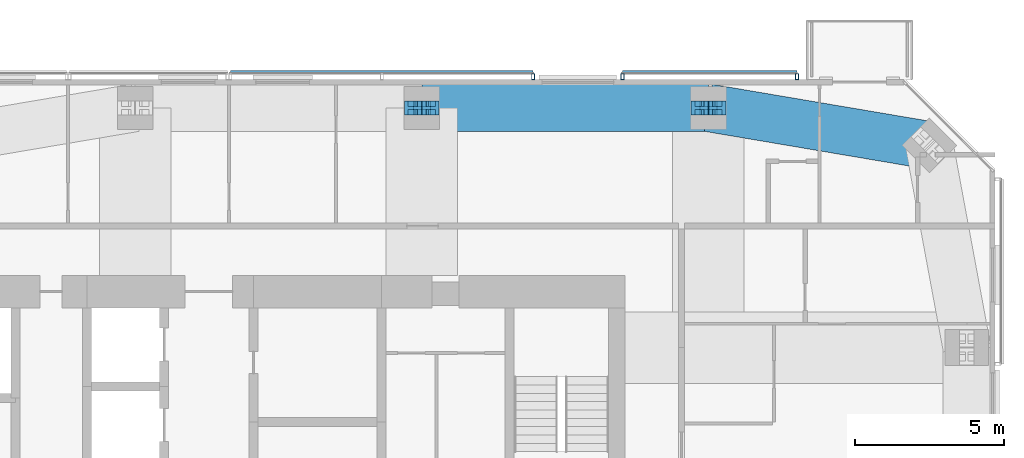
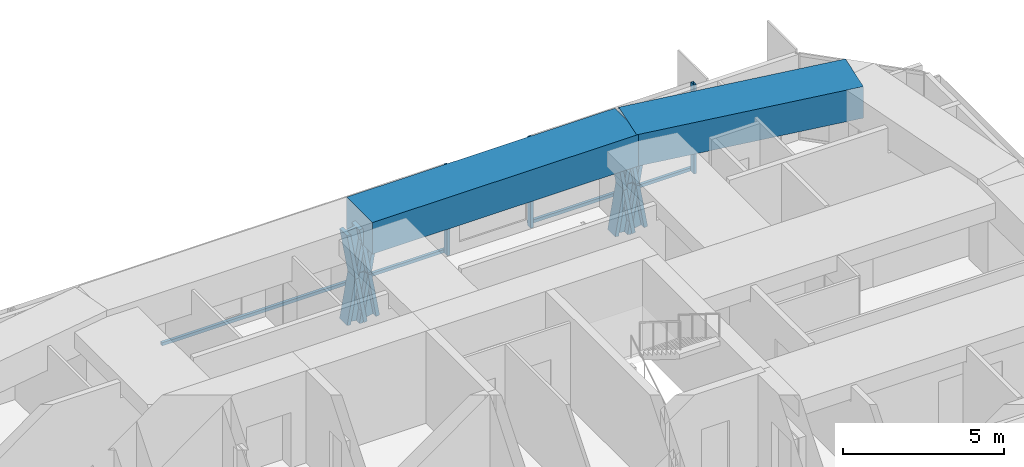
# One storey, part 11 of 20: 13 members, 2 beams, 2 elements without a shape of their own.
"""IFC4 building model written with IfcOpenShell, lengths in metres."""

from ifc_helpers import new_model, si_unit, direction, frame, origin, origin_2d, place, context, subcontext, project, spatial, rectangle, hollow_rectangle, i_section, extrude, material, material_profile, profile_set, type_object, element, aggregate, save


model = new_model("IFC4")

# Units and contexts
model_context = context("Model", 3, precision=1e-05, world=origin(), true_north=direction((0.0, 1.0)))
body_context = subcontext(model_context, "Body", "Model", "MODEL_VIEW")
ifc_project = project(units=[si_unit("LENGTHUNIT", "METRE"), si_unit("AREAUNIT", "SQUARE_METRE"), si_unit("VOLUMEUNIT", "CUBIC_METRE"), si_unit("PLANEANGLEUNIT", "RADIAN"), si_unit("MASSUNIT", "GRAM", prefix="KILO")], contexts=[model_context])

# Site, building, storey
site_placement = place(None, origin())
site = spatial("IfcSite", under=ifc_project, at=site_placement, CompositionType="ELEMENT")
building_placement = place(site_placement, origin())
building = spatial("IfcBuilding", under=site, at=building_placement, Name="Jalousie Tower", CompositionType="ELEMENT")
storey_placement = place(building_placement, frame((0.0, 0.0, 238.949951171875)))
storey = spatial("IfcBuildingStorey", under=building, at=storey_placement, Name="L65", CompositionType="ELEMENT", Elevation=238.949951171875)

# Members
ifc_material_1 = material(Name="Steel ASTM A992 Grade 50", Category="steel")
ifc_material_profile_1 = material_profile(ifc_material_1, i_section(OverallWidth=0.472412109375, OverallDepth=0.5791015625, WebThickness=0.094970703125, FlangeThickness=0.1298828125, at=origin_2d()), Name="W14X808")
ifc_profile_set_1 = profile_set([ifc_material_profile_1], Name="Steel ASTM A992 Grade 50")
member_type_1 = type_object("IfcMemberType", Name="PERIMETER BRACE W14X808", PredefinedType="BRACE", material=ifc_profile_set_1)
for number, where, z_axis, x_axis, name in (
    (1, (46.574951171875, 33.050048828125, -0.599853515625), (0.168990530437, 0.0, 0.98561767467), (0.0, 1.0, 0.0), "Perimeter brace 09 L65 part 1"),
    (2, (46.875, 33.050048828125, 1.150146484375), (0.168990530437, 0.0, 0.98561767467), (0.0, 1.0, 0.0), "Perimeter brace 09 L65 part 2"),
    (3, (47.175048828125, 33.050048828125, -0.599853515625), (-0.168990530437, 0.0, 0.98561767467), (0.0, -1.0, 0.0), "Perimeter brace 09 L65 part 3"),
    (4, (46.875, 33.050048828125, 1.150146484375), (-0.168990530437, 0.0, 0.98561767467), (0.0, -1.0, 0.0), "Perimeter brace 09 L65 part 4"),
    (5, (36.949951171875, 33.050048828125, -0.599853515625), (0.168990530437, 0.0, 0.98561767467), (0.0, 1.0, 0.0), "Perimeter brace 10 L65 part 1"),
    (6, (37.25, 33.050048828125, 1.150146484375), (0.168990530437, 0.0, 0.98561767467), (0.0, 1.0, 0.0), "Perimeter brace 10 L65 part 2"),
    (7, (37.550048828125, 33.050048828125, -0.599853515625), (-0.168990530437, 0.0, 0.98561767467), (0.0, -1.0, 0.0), "Perimeter brace 10 L65 part 3"),
    (8, (37.25, 33.050048828125, 1.150146484375), (-0.168990530437, 0.0, 0.98561767467), (0.0, -1.0, 0.0), "Perimeter brace 10 L65 part 4"),
):
    element("IfcMember", number, at=place(storey_placement, frame(where, z_axis=z_axis, x_axis=x_axis)), inside=storey, type_object=member_type_1, Name=name, PredefinedType="BRACE", context=body_context, shape_type="SweptSolid", body=[
        extrude(i_section(OverallWidth=0.472412109375, OverallDepth=0.5791015625, WebThickness=0.094970703125, FlangeThickness=0.1298828125, at=origin_2d()), origin(), (0.0, 0.0, 1.0), 1.775634765625),
    ])

# Beams
ifc_material_2 = material(Name="Concrete f'c 40 MPa", Category="concrete")
ifc_material_profile_2 = material_profile(ifc_material_2, rectangle(XDim=1.60009765625, YDim=1.199951171875, at=origin_2d()), Name="RC 1600x1200")
ifc_profile_set_2 = profile_set([ifc_material_profile_2], Name="Concrete f'c 40 MPa")
beam_type = type_object("IfcBeamType", Name="RC BEAM 1600x1200", PredefinedType="BEAM", material=ifc_profile_set_2)
beam_1_placement = place(storey_placement, frame((54.29296875, 31.79296875, 2.900146484375), z_axis=(-0.985942997446, 0.167082033105, 0.0), x_axis=(-0.167082033105, -0.985942997446, 0.0)))
element("IfcBeam", 9, at=beam_1_placement, inside=storey, type_object=beam_type, Name="Edge band beam 08-09 under L66", PredefinedType="BEAM", context=body_context, shape_type="SweptSolid", body=[
    extrude(rectangle(XDim=1.60009765625, YDim=1.199951171875, at=origin_2d()), origin(), (0.0, 0.0, 1.0), 7.523681640625),
])
beam_2_placement = place(storey_placement, frame((46.875, 33.050048828125, 2.900146484375), z_axis=(-1.0, 0.0, 0.0), x_axis=(0.0, -1.0, 0.0)))
element("IfcBeam", 10, at=beam_2_placement, inside=storey, type_object=beam_type, Name="Edge band beam 09-10 under L66", PredefinedType="BEAM", context=body_context, shape_type="SweptSolid", body=[
    extrude(rectangle(XDim=1.60009765625, YDim=1.199951171875, at=origin_2d()), origin(), (0.0, 0.0, 1.0), 9.625),
])

# Curtain wall, members
ifc_material_3 = material(Name="Perforated aluminium sheet", Category="aluminium")
curtain_wall_type = type_object("IfcCurtainWallType", Name="SOLAR SCREEN SS-2", PredefinedType="USERDEFINED", material=ifc_material_3)
curtain_wall_1_placement = place(storey_placement, origin())
curtain_wall_1 = element("IfcCurtainWall", 11, at=curtain_wall_1_placement, inside=storey, type_object=curtain_wall_type, Name="Solar screen L65", ObjectType="SOLAR SCREEN SS-2", PredefinedType="USERDEFINED")
ifc_material_4 = material(Name="Steel ASTM A500 Grade C", Category="steel")
ifc_material_profile_3 = material_profile(ifc_material_4, hollow_rectangle(XDim=0.1015625, YDim=0.203125, WallThickness=0.0078125, at=origin_2d()), Name="HSS8X4X5/16")
ifc_profile_set_3 = profile_set([ifc_material_profile_3], Name="Steel ASTM A500 Grade C")
member_type_2 = type_object("IfcMemberType", Name="SOLAR SCREEN SS-2 MULLION", PredefinedType="MULLION", material=ifc_profile_set_3)
member_1_placement = place(storey_placement, frame((49.8486328125, 34.0966796875, -0.119873046875), z_axis=(0.0, 0.0, 1.0), x_axis=(-1.0, 0.0, 0.0)))
member_1 = element("IfcMember", 12, at=member_1_placement, type_object=member_type_2, Name="SS2 post 1", PredefinedType="MULLION", context=body_context, shape_type="SweptSolid", body=[
    extrude(hollow_rectangle(XDim=0.1015625, YDim=0.203125, WallThickness=0.0078125, at=origin_2d()), origin(), (0.0, 0.0, 1.0), 3.3798828125),
])
member_2_placement = place(storey_placement, frame((43.98876953125, 34.0966796875, -0.119873046875), z_axis=(0.0, 0.0, 1.0), x_axis=(-1.0, 0.0, 0.0)))
member_2 = element("IfcMember", 13, at=member_2_placement, type_object=member_type_2, Name="SS2 post 2", PredefinedType="MULLION", context=body_context, shape_type="SweptSolid", body=[
    extrude(hollow_rectangle(XDim=0.1015625, YDim=0.203125, WallThickness=0.0078125, at=origin_2d()), origin(), (0.0, 0.0, 1.0), 3.3798828125),
])

# Curtain wall, member
curtain_wall_2_placement = place(storey_placement, origin())
curtain_wall_2 = element("IfcCurtainWall", 14, at=curtain_wall_2_placement, inside=storey, type_object=curtain_wall_type, Name="Solar screen L65", ObjectType="SOLAR SCREEN SS-2", PredefinedType="USERDEFINED")
member_3_placement = place(storey_placement, frame((40.98876953125, 34.0966796875, -0.119873046875), z_axis=(0.0, 0.0, 1.0), x_axis=(-1.0, 0.0, 0.0)))
member_3 = element("IfcMember", 15, at=member_3_placement, type_object=member_type_2, Name="SS2 post 1", PredefinedType="MULLION", context=body_context, shape_type="SweptSolid", body=[
    extrude(hollow_rectangle(XDim=0.1015625, YDim=0.203125, WallThickness=0.0078125, at=origin_2d()), origin(), (0.0, 0.0, 1.0), 3.3798828125),
])

# Member
ifc_material_5 = material(Name="Extruded aluminium screen rail", Category="aluminium")
ifc_material_profile_4 = material_profile(ifc_material_5, rectangle(XDim=0.1015625, YDim=0.1201171875, at=origin_2d()), Name="RAIL 102x120")
ifc_profile_set_4 = profile_set([ifc_material_profile_4], Name="Extruded aluminium screen rail")
member_type_3 = type_object("IfcMemberType", Name="SOLAR SCREEN SS-2 TRANSOM", PredefinedType="USERDEFINED", material=ifc_profile_set_4)
member_4_placement = place(storey_placement, frame((49.8486328125, 34.2490234375, -0.06005859375), z_axis=(-1.0, 0.0, 0.0), x_axis=(0.0, -1.0, 0.0)))
member_4 = element("IfcMember", 16, at=member_4_placement, type_object=member_type_3, Name="SS2 rail", ObjectType="TRANSOM", PredefinedType="USERDEFINED", context=body_context, shape_type="SweptSolid", body=[
    extrude(rectangle(XDim=0.1015625, YDim=0.1201171875, at=origin_2d()), origin(), (0.0, 0.0, 1.0), 5.85986328125),
])

aggregate(curtain_wall_1, [member_1, member_2, member_4])

member_5_placement = place(storey_placement, frame((40.98876953125, 34.2490234375, -0.06005859375), z_axis=(-1.0, 0.0, 0.0), x_axis=(0.0, -1.0, 0.0)))
member_5 = element("IfcMember", 17, at=member_5_placement, type_object=member_type_3, Name="SS2 rail", ObjectType="TRANSOM", PredefinedType="USERDEFINED", context=body_context, shape_type="SweptSolid", body=[
    extrude(rectangle(XDim=0.1015625, YDim=0.1201171875, at=origin_2d()), origin(), (0.0, 0.0, 1.0), 10.163818359375),
])

aggregate(curtain_wall_2, [member_3, member_5])

save(model, "model.ifc")
